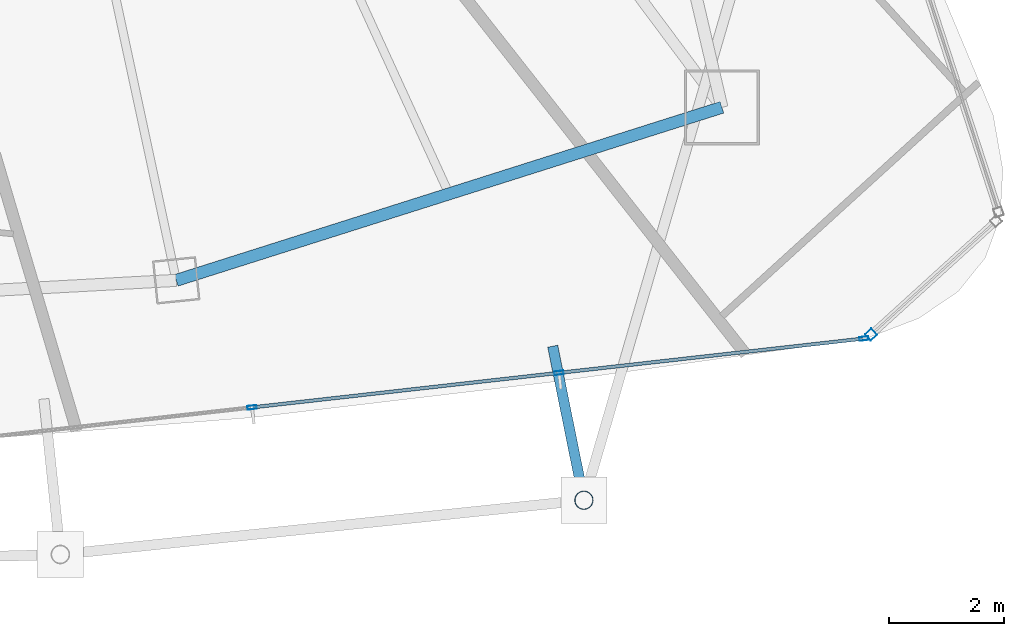
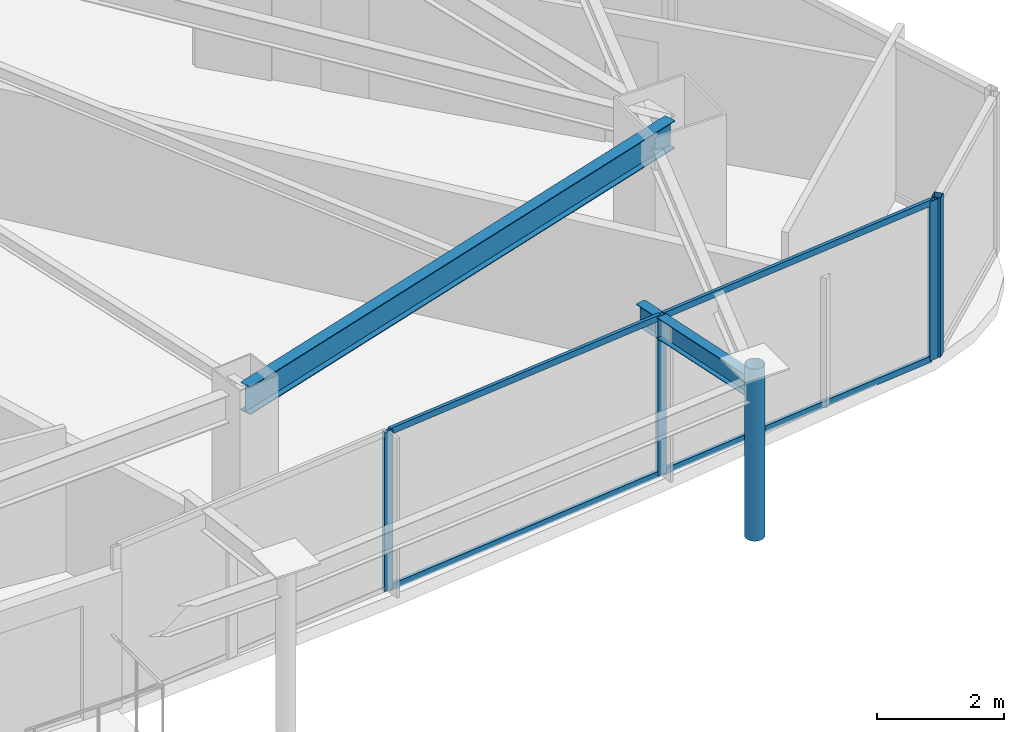
# One storey, part 15 of 34: 9 members, 2 beams, 2 elements without a shape of their own.
"""IFC4 building model written with IfcOpenShell, lengths in metres."""

from ifc_helpers import new_model, si_unit, direction, frame, origin, origin_2d, place, context, subcontext, project, spatial, hollow_rectangle, hollow_circle, i_section, extrude, material, layer, layer_set, material_profile, profile_set, type_object, element, aggregate, save


model = new_model("IFC4")

# Units and contexts
model_context = context("Model", 3, precision=1e-05, world=origin(), true_north=direction((0.0, 1.0)))
body_context = subcontext(model_context, "Body", "Model", "MODEL_VIEW")
ifc_project = project(units=[si_unit("LENGTHUNIT", "METRE"), si_unit("AREAUNIT", "SQUARE_METRE"), si_unit("VOLUMEUNIT", "CUBIC_METRE"), si_unit("PLANEANGLEUNIT", "RADIAN"), si_unit("MASSUNIT", "GRAM", prefix="KILO")], contexts=[model_context])

# Site, building, storey
site_placement = place(None, origin())
site = spatial("IfcSite", under=ifc_project, at=site_placement, CompositionType="ELEMENT")
building_placement = place(site_placement, origin())
building = spatial("IfcBuilding", under=site, at=building_placement, Name="Orvanel Arch Residences", CompositionType="ELEMENT")
storey_placement = place(building_placement, frame((0.0, 0.0, 203.0)))
storey = spatial("IfcBuildingStorey", under=building, at=storey_placement, Name="L57", CompositionType="ELEMENT", Elevation=203.0)

# Curtain wall, member
ifc_material_1 = material(Name="Bronze-anodised aluminium AA6063-T6", Category="aluminium")
ifc_layer_1 = layer(ifc_material_1, 0.18994140625)
ifc_layer_set_1 = layer_set([ifc_layer_1], Name="Bronze-anodised aluminium AA6063-T6")
curtain_wall_type_1 = type_object("IfcCurtainWallType", Name="CW5-CRN-SYS", PredefinedType="NOTDEFINED", material=ifc_layer_set_1)
curtain_wall_1_placement = place(storey_placement, origin())
curtain_wall_1 = element("IfcCurtainWall", 1, at=curtain_wall_1_placement, inside=storey, type_object=curtain_wall_type_1, Name="L57 CW5-CRN-SYS Unitised Curtain Wall", PredefinedType="NOTDEFINED")
ifc_material_profile_1 = material_profile(ifc_material_1, hollow_rectangle(XDim=0.14990234375, YDim=0.14990234375, WallThickness=0.0048828125, at=origin_2d()), Name="ALU150x150x5")
ifc_profile_set_1 = profile_set([ifc_material_profile_1], Name="Bronze-anodised aluminium AA6063-T6")
member_type_1 = type_object("IfcMemberType", Name="MUL-150x150", PredefinedType="MULLION", material=ifc_profile_set_1)
member_1_placement = place(storey_placement, frame((54.385498046875, 6.41650390625, 0.0), z_axis=(0.0, 0.0, 1.0), x_axis=(-0.672478543839, 0.740116617889, 0.0)))
member_1 = element("IfcMember", 2, at=member_1_placement, type_object=member_type_1, Name="CW-S5 mullion 1", PredefinedType="MULLION", context=body_context, shape_type="SweptSolid", body=[
    extrude(hollow_rectangle(XDim=0.14990234375, YDim=0.14990234375, WallThickness=0.0048828125, at=origin_2d()), origin(), (0.0, 0.0, 1.0), 3.06005859375),
])
aggregate(curtain_wall_1, [member_1])

# Curtain wall, members
ifc_layer_2 = layer(ifc_material_1, 0.175048828125)
ifc_layer_set_2 = layer_set([ifc_layer_2], Name="Bronze-anodised aluminium AA6063-T6")
curtain_wall_type_2 = type_object("IfcCurtainWallType", Name="CW4-HI-SYS", PredefinedType="NOTDEFINED", material=ifc_layer_set_2)
curtain_wall_2_placement = place(storey_placement, origin())
curtain_wall_2 = element("IfcCurtainWall", 3, at=curtain_wall_2_placement, inside=storey, type_object=curtain_wall_type_2, Name="L57 CW4-HI-SYS Unitised Curtain Wall", PredefinedType="NOTDEFINED")
ifc_material_profile_2 = material_profile(ifc_material_1, hollow_rectangle(XDim=0.06494140625, YDim=0.159912109375, WallThickness=0.00390625, at=origin_2d()), Name="ALU160x65x4")
ifc_profile_set_2 = profile_set([ifc_material_profile_2], Name="Bronze-anodised aluminium AA6063-T6")
member_type_2 = type_object("IfcMemberType", Name="MUL-160x65", PredefinedType="MULLION", material=ifc_profile_set_2)
member_2_placement = place(storey_placement, frame((43.664306640625, 5.155029296875, 0.0), z_axis=(0.0, 0.0, 1.0), x_axis=(-0.111799388547, 0.993730796907, 0.0)))
member_2 = element("IfcMember", 4, at=member_2_placement, type_object=member_type_2, Name="CW-S4 mullion 2", PredefinedType="MULLION", context=body_context, shape_type="SweptSolid", body=[
    extrude(hollow_rectangle(XDim=0.06494140625, YDim=0.159912109375, WallThickness=0.00390625, at=origin_2d()), origin(), (0.0, 0.0, 1.0), 3.06005859375),
])
member_3_placement = place(storey_placement, frame((48.979736328125, 5.7529296875, 0.0), z_axis=(0.0, 0.0, 1.0), x_axis=(-0.111799388547, 0.993730796907, 0.0)))
member_3 = element("IfcMember", 5, at=member_3_placement, type_object=member_type_2, Name="CW-S4 mullion 3", PredefinedType="MULLION", context=body_context, shape_type="SweptSolid", body=[
    extrude(hollow_rectangle(XDim=0.06494140625, YDim=0.159912109375, WallThickness=0.00390625, at=origin_2d()), origin(), (0.0, 0.0, 1.0), 3.06005859375),
])
member_4_placement = place(storey_placement, frame((54.2626953125, 6.347412109375, 0.0), z_axis=(0.0, 0.0, 1.0), x_axis=(-0.111799388547, 0.993730796907, 0.0)))
member_4 = element("IfcMember", 6, at=member_4_placement, type_object=member_type_2, Name="CW-S4 mullion 4", PredefinedType="MULLION", context=body_context, shape_type="SweptSolid", body=[
    extrude(hollow_rectangle(XDim=0.06494140625, YDim=0.159912109375, WallThickness=0.00390625, at=origin_2d()), origin(), (0.0, 0.0, 1.0), 3.06005859375),
])

# Beams
ifc_material_2 = material(Name="Structural steel AS/NZS 3679.1 Grade 300 (300 MPa)", Category="steel")
ifc_material_profile_3 = material_profile(ifc_material_2, i_section(OverallWidth=0.177978515625, OverallDepth=0.406005859375, WebThickness=0.0078125, FlangeThickness=0.0126953125, at=origin_2d()), Name="410UB59.7")
ifc_profile_set_3 = profile_set([ifc_material_profile_3], Name="Structural steel AS/NZS 3679.1 Grade 300 (300 MPa)")
beam_type_1 = type_object("IfcBeamType", Name="OB-410UB-EXT", PredefinedType="SPANDREL", material=ifc_profile_set_3)
beam_1_placement = place(storey_placement, frame((48.87109375, 6.215087890625, 2.85693359375), z_axis=(0.198306169007, -0.980140124336, 0.0), x_axis=(0.980140124336, 0.198306169007, 0.0)))
element("IfcBeam", 7, at=beam_1_placement, inside=storey, type_object=beam_type_1, Name="L57 Outer Frame Radial Tie Beam 08", PredefinedType="SPANDREL", context=body_context, shape_type="SweptSolid", body=[
    extrude(i_section(OverallWidth=0.177978515625, OverallDepth=0.406005859375, WebThickness=0.0078125, FlangeThickness=0.0126953125, at=origin_2d()), origin(), (0.0, 0.0, 1.0), 2.721923828125),
])
ifc_material_profile_4 = material_profile(ifc_material_2, i_section(OverallWidth=0.208984375, OverallDepth=0.532958984375, WebThickness=0.01025390625, FlangeThickness=0.015625, at=origin_2d()), Name="530UB92.4")
ifc_profile_set_4 = profile_set([ifc_material_profile_4], Name="Structural steel AS/NZS 3679.1 Grade 300 (300 MPa)")
beam_type_2 = type_object("IfcBeamType", Name="SP-530UB", PredefinedType="SPANDREL", material=ifc_profile_set_4)
beam_2_placement = place(storey_placement, frame((42.35107421875, 7.35498046875, 2.79296875), z_axis=(0.953237386592, 0.302222574941, 0.0), x_axis=(-0.302222574941, 0.953237386592, 0.0)))
element("IfcBeam", 8, at=beam_2_placement, inside=storey, type_object=beam_type_2, Name="L57 Perimeter Spandrel Beam 05", PredefinedType="SPANDREL", context=body_context, shape_type="SweptSolid", body=[
    extrude(i_section(OverallWidth=0.208984375, OverallDepth=0.532958984375, WebThickness=0.01025390625, FlangeThickness=0.015625, at=origin_2d()), origin(), (0.0, 0.0, 1.0), 9.91357421875),
])

# Member
ifc_material_3 = material(Name="Structural steel AS/NZS 1163 C350L0 (Grade 350)", Category="steel")
ifc_material_profile_5 = material_profile(ifc_material_3, hollow_circle(Radius=0.162109375, WallThickness=0.0126953125, at=origin_2d()), Name="CHS324x12.7")
ifc_profile_set_5 = profile_set([ifc_material_profile_5], Name="Structural steel AS/NZS 1163 C350L0 (Grade 350)")
member_type_3 = type_object("IfcMemberType", Name="ST-324CHS-EXT", PredefinedType="STRUT", material=ifc_profile_set_5)
member_5_placement = place(storey_placement, frame((49.410888671875, 3.547119140625, 0.0), z_axis=(0.0, 0.0, 1.0), x_axis=(1.0, 0.0, 0.0)))
element("IfcMember", 9, at=member_5_placement, inside=storey, type_object=member_type_3, Name="L57 Outer Perimeter Frame Post 08", PredefinedType="STRUT", context=body_context, shape_type="SweptSolid", body=[
    extrude(hollow_circle(Radius=0.162109375, WallThickness=0.0126953125, at=origin_2d()), origin(), (0.0, 0.0, 1.0), 3.300048828125),
])

ifc_material_profile_6 = material_profile(ifc_material_1, hollow_rectangle(XDim=0.06005859375, YDim=0.1201171875, WallThickness=0.00341796875, at=origin_2d()), Name="ALU120x60x3.5")
ifc_profile_set_6 = profile_set([ifc_material_profile_6], Name="Bronze-anodised aluminium AA6063-T6")
member_type_4 = type_object("IfcMemberType", Name="TRN-120x60", PredefinedType="USERDEFINED", material=ifc_profile_set_6)
member_6_placement = place(storey_placement, frame((43.696533203125, 5.15869140625, 0.030029296875), z_axis=(0.993734074904, 0.111770248161, 0.0), x_axis=(-0.111770248161, 0.993734074904, 0.0)))
member_6 = element("IfcMember", 10, at=member_6_placement, type_object=member_type_4, Name="CW-S4 transom 2.1", ObjectType="TRANSOM", PredefinedType="USERDEFINED", context=body_context, shape_type="SweptSolid", body=[
    extrude(hollow_rectangle(XDim=0.06005859375, YDim=0.1201171875, WallThickness=0.00341796875, at=origin_2d()), origin(), (0.0, 0.0, 1.0), 5.283935546875),
])

member_7_placement = place(storey_placement, frame((43.696533203125, 5.15869140625, 3.030029296875), z_axis=(0.993734074904, 0.111770248161, 0.0), x_axis=(-0.111770248161, 0.993734074904, 0.0)))
member_7 = element("IfcMember", 11, at=member_7_placement, type_object=member_type_4, Name="CW-S4 transom 2.2", ObjectType="TRANSOM", PredefinedType="USERDEFINED", context=body_context, shape_type="SweptSolid", body=[
    extrude(hollow_rectangle(XDim=0.06005859375, YDim=0.1201171875, WallThickness=0.00341796875, at=origin_2d()), origin(), (0.0, 0.0, 1.0), 5.283935546875),
])

member_8_placement = place(storey_placement, frame((49.011962890625, 5.756591796875, 0.030029296875), z_axis=(0.993729702059, 0.111809119694, 0.0), x_axis=(-0.111809119694, 0.993729702059, 0.0)))
member_8 = element("IfcMember", 12, at=member_8_placement, type_object=member_type_4, Name="CW-S4 transom 3.1", ObjectType="TRANSOM", PredefinedType="USERDEFINED", context=body_context, shape_type="SweptSolid", body=[
    extrude(hollow_rectangle(XDim=0.06005859375, YDim=0.1201171875, WallThickness=0.00341796875, at=origin_2d()), origin(), (0.0, 0.0, 1.0), 5.25146484375),
])

member_9_placement = place(storey_placement, frame((49.011962890625, 5.756591796875, 3.030029296875), z_axis=(0.993729702059, 0.111809119694, 0.0), x_axis=(-0.111809119694, 0.993729702059, 0.0)))
member_9 = element("IfcMember", 13, at=member_9_placement, type_object=member_type_4, Name="CW-S4 transom 3.2", ObjectType="TRANSOM", PredefinedType="USERDEFINED", context=body_context, shape_type="SweptSolid", body=[
    extrude(hollow_rectangle(XDim=0.06005859375, YDim=0.1201171875, WallThickness=0.00341796875, at=origin_2d()), origin(), (0.0, 0.0, 1.0), 5.25146484375),
])

aggregate(curtain_wall_2, [member_2, member_3, member_4, member_6, member_7, member_8, member_9])

save(model, "model.ifc")
